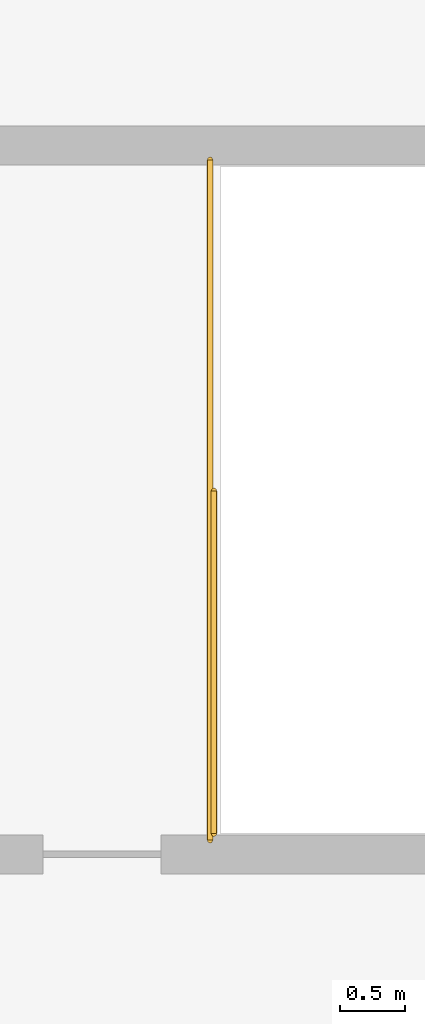
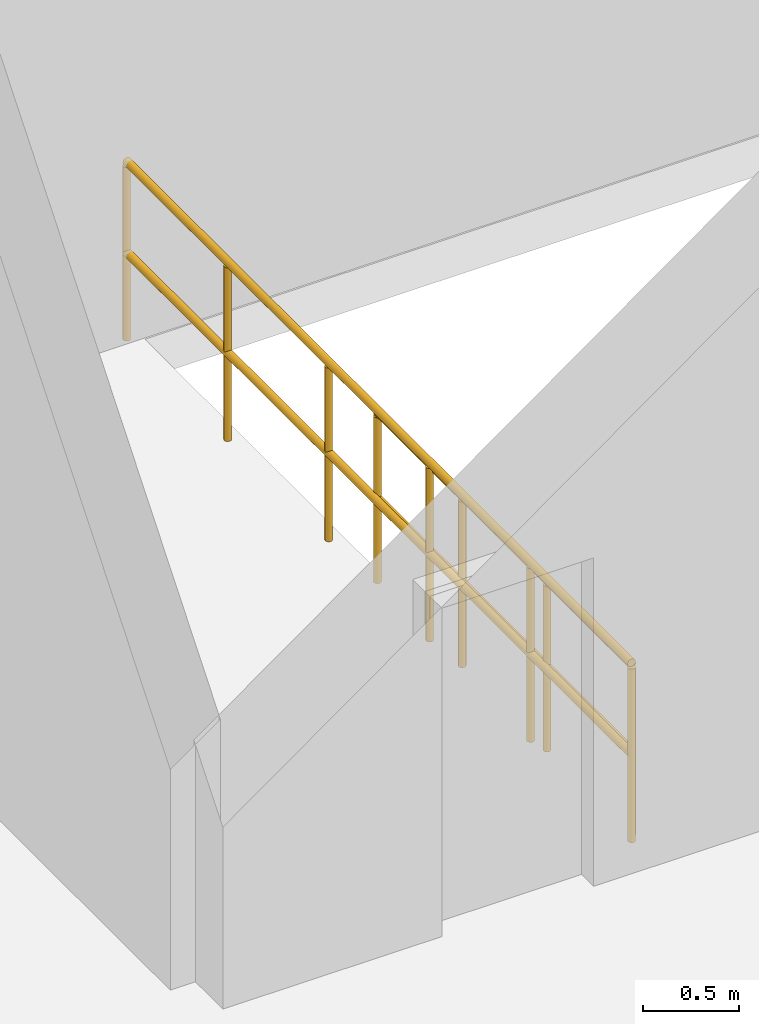
# One storey, part 114 of 129: 2 railings.
"""IFC4 building model written with IfcOpenShell, lengths in metres."""

from ifc_helpers import new_model, si_unit, direction, frame, origin, origin_2d, place, context, subcontext, project, spatial, circle, extrude, material, type_object, element, save


model = new_model("IFC4")

# Units and contexts
model_context = context("Model", 3, precision=1e-05, world=origin(), true_north=direction((0.0, 1.0)))
body_context = subcontext(model_context, "Body", "Model", "MODEL_VIEW")
ifc_project = project(units=[si_unit("LENGTHUNIT", "METRE"), si_unit("AREAUNIT", "SQUARE_METRE"), si_unit("VOLUMEUNIT", "CUBIC_METRE"), si_unit("PLANEANGLEUNIT", "RADIAN"), si_unit("MASSUNIT", "GRAM", prefix="KILO")], contexts=[model_context])

# Site, building, storey
site_placement = place(None, origin())
site = spatial("IfcSite", under=ifc_project, at=site_placement, CompositionType="ELEMENT")
building_placement = place(site_placement, origin())
building = spatial("IfcBuilding", under=site, at=building_placement, Name="Danafjord Basin Convention Centre", CompositionType="ELEMENT")
storey_placement = place(building_placement, frame((0.0, 0.0, 6.0)))
storey = spatial("IfcBuildingStorey", under=building, at=storey_placement, Name="L01", CompositionType="ELEMENT", Elevation=6.0)

# Railings
ifc_material_1 = material(Name="Laminated structural glass and stainless steel", Category="steel")
railing_type_1 = type_object("IfcRailingType", Name="RL-BAL-GLS", PredefinedType="BALUSTRADE", material=ifc_material_1)
railing_1_placement = place(storey_placement, frame((4.449951171875, 102.75, 0.0)))
element("IfcRailing", 1, at=railing_1_placement, inside=storey, type_object=railing_type_1, Name="L01 safety guard balustrade 128", PredefinedType="BALUSTRADE", context=body_context, shape_type="SweptSolid", body=[
    extrude(circle(Radius=0.02392578125, at=origin_2d()), frame((0.0, 0.0, 1.1259765625), z_axis=(0.0, -1.0, 0.0), x_axis=(1.0, 0.0, 0.0)), (0.0, 0.0, 1.0), 5.239990234375),
    extrude(circle(Radius=0.02392578125, at=origin_2d()), frame((0.0, 0.0, 0.55078125), z_axis=(0.0, -1.0, 0.0), x_axis=(1.0, 0.0, 0.0)), (0.0, 0.0, 1.0), 5.239990234375),
    extrude(circle(Radius=0.02099609375, at=origin_2d()), origin(), (0.0, 0.0, 1.0), 1.099853515625),
    extrude(circle(Radius=0.02099609375, at=origin_2d()), frame((0.0, -1.048095703125, 0.0)), (0.0, 0.0, 1.0), 1.099853515625),
    extrude(circle(Radius=0.02099609375, at=origin_2d()), frame((0.0, -2.095947265625, 0.0)), (0.0, 0.0, 1.0), 1.099853515625),
    extrude(circle(Radius=0.02099609375, at=origin_2d()), frame((0.0, -3.14404296875, 0.0)), (0.0, 0.0, 1.0), 1.099853515625),
    extrude(circle(Radius=0.02099609375, at=origin_2d()), frame((0.0, -4.19189453125, 0.0)), (0.0, 0.0, 1.0), 1.099853515625),
    extrude(circle(Radius=0.02099609375, at=origin_2d()), frame((0.0, -5.239990234375, 0.0)), (0.0, 0.0, 1.0), 1.099853515625),
])
ifc_material_2 = material(Name="Galvanised steel S355", Category="steel")
railing_type_2 = type_object("IfcRailingType", Name="RL-GD-WELL", PredefinedType="BALUSTRADE", material=ifc_material_2)
railing_2_placement = place(storey_placement, frame((4.47998046875, 97.56005859375, 0.0)))
element("IfcRailing", 2, at=railing_2_placement, inside=storey, type_object=railing_type_2, Name="L01 ST-08 top well guard 1", PredefinedType="BALUSTRADE", context=body_context, shape_type="SweptSolid", body=[
    extrude(circle(Radius=0.02392578125, at=origin_2d()), frame((0.0, 0.0, 1.076171875), z_axis=(0.0, 1.0, 0.0), x_axis=(-1.0, 0.0, 0.0)), (0.0, 0.0, 1.0), 2.639892578125),
    extrude(circle(Radius=0.02392578125, at=origin_2d()), frame((0.0, 0.0, 0.52587890625), z_axis=(0.0, 1.0, 0.0), x_axis=(-1.0, 0.0, 0.0)), (0.0, 0.0, 1.0), 2.639892578125),
    extrude(circle(Radius=0.02099609375, at=origin_2d()), origin(), (0.0, 0.0, 1.0), 1.050048828125),
    extrude(circle(Radius=0.02099609375, at=origin_2d()), frame((0.0, 0.8798828125, 0.0)), (0.0, 0.0, 1.0), 1.050048828125),
    extrude(circle(Radius=0.02099609375, at=origin_2d()), frame((0.0, 1.760009765625, 0.0)), (0.0, 0.0, 1.0), 1.050048828125),
    extrude(circle(Radius=0.02099609375, at=origin_2d()), frame((0.0, 2.639892578125, 0.0)), (0.0, 0.0, 1.0), 1.050048828125),
])

save(model, "model.ifc")
